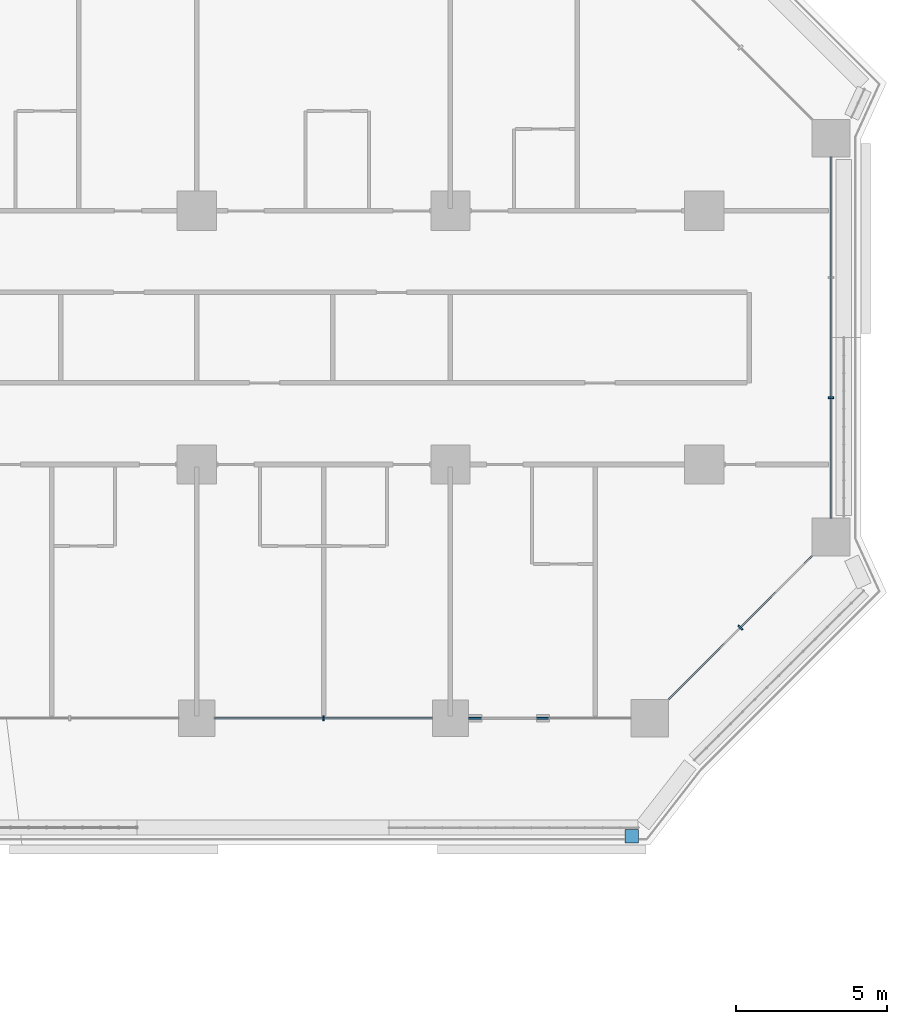
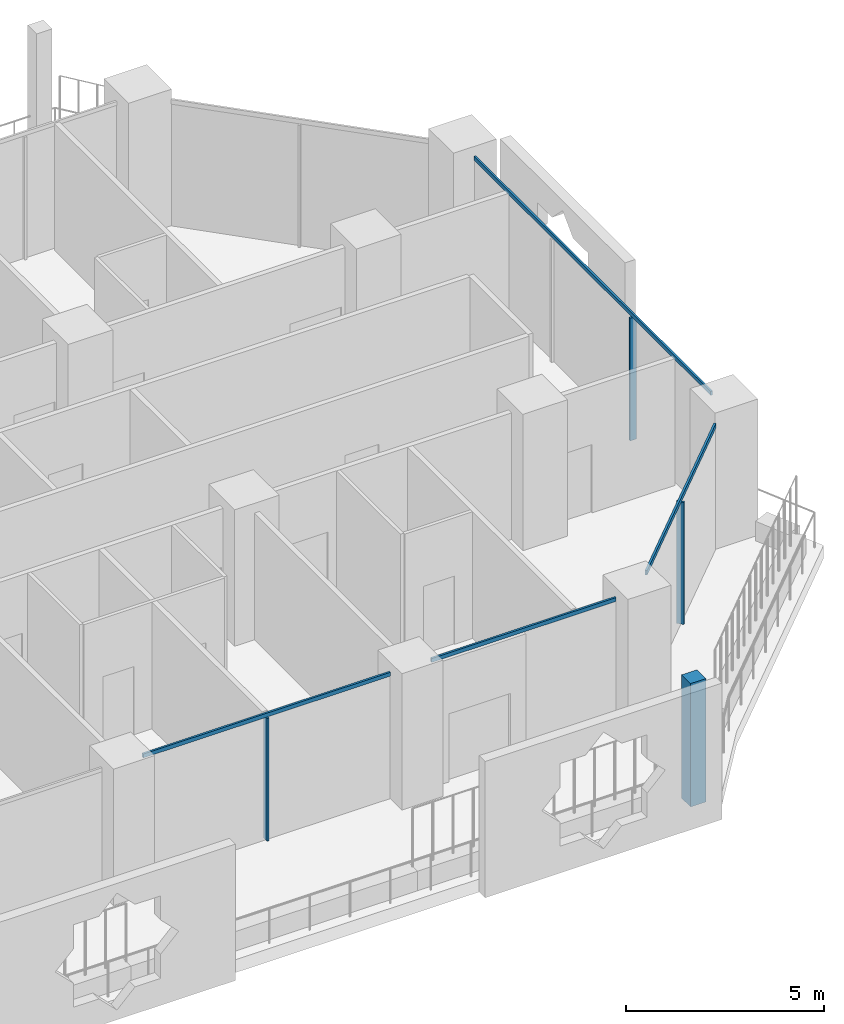
# One storey, part 7 of 29: 8 members, 4 elements without a shape of their own.
"""IFC4 building model written with IfcOpenShell, lengths in metres."""

from ifc_helpers import new_model, si_unit, direction, frame, origin, origin_2d, place, context, subcontext, project, spatial, rectangle, extrude, material, layer, layer_set, material_profile, profile_set, type_object, element, aggregate, save


model = new_model("IFC4")

# Units and contexts
model_context = context("Model", 3, precision=1e-05, world=origin(), true_north=direction((0.0, 1.0)))
body_context = subcontext(model_context, "Body", "Model", "MODEL_VIEW")
ifc_project = project(units=[si_unit("LENGTHUNIT", "METRE"), si_unit("AREAUNIT", "SQUARE_METRE"), si_unit("VOLUMEUNIT", "CUBIC_METRE"), si_unit("PLANEANGLEUNIT", "RADIAN"), si_unit("MASSUNIT", "GRAM", prefix="KILO")], contexts=[model_context])

# Site, building, storey
site_placement = place(None, origin())
site = spatial("IfcSite", under=ifc_project, at=site_placement, CompositionType="ELEMENT")
building_placement = place(site_placement, origin())
building = spatial("IfcBuilding", under=site, at=building_placement, Name="Kawkab Arch Medical Tower", CompositionType="ELEMENT")
storey_placement = place(building_placement, frame((0.0, 0.0, 64.39990234375)))
storey = spatial("IfcBuildingStorey", under=building, at=storey_placement, Name="L14", CompositionType="ELEMENT", Elevation=64.39990234375)

# Curtain wall, member
ifc_material_1 = material(Name="Bronze anodised aluminium curtain wall frame", Category="aluminium")
ifc_layer_1 = layer(ifc_material_1, 0.159912109375)
ifc_layer_set_1 = layer_set([ifc_layer_1], Name="Bronze anodised aluminium curtain wall frame")
curtain_wall_type_1 = type_object("IfcCurtainWallType", Name="CW1 ward curtain wall", PredefinedType="NOTDEFINED", material=ifc_layer_set_1)
placement = place(storey_placement, origin())
curtain_wall_1 = element("IfcCurtainWall", 1, at=placement, inside=storey, type_object=curtain_wall_type_1, Name="CW1 Ward curtain wall R07", PredefinedType="NOTDEFINED")
ifc_material_2 = material(Name="Bronze anodised aluminium curtain wall frame", Category="aluminium")
ifc_material_profile_1 = material_profile(ifc_material_2, rectangle(XDim=0.179931640625, YDim=0.06005859375, at=origin_2d()), Name="AL 60x180")
ifc_profile_set_1 = profile_set([ifc_material_profile_1], Name="Bronze anodised aluminium curtain wall frame")
member_type_1 = type_object("IfcMemberType", Name="CW1 mullion 60 x 180", PredefinedType="MULLION", material=ifc_profile_set_1)
member_1_placement = place(storey_placement, frame((63.0, -25.199951171875, 0.0), z_axis=(0.0, 0.0, 1.0), x_axis=(0.0, 1.0, 0.0)))
member_1 = element("IfcMember", 2, at=member_1_placement, type_object=member_type_1, Name="CW1 mullion 4.1", PredefinedType="MULLION", context=body_context, shape_type="SweptSolid", body=[
    extrude(rectangle(XDim=0.179931640625, YDim=0.06005859375, at=origin_2d()), origin(), (0.0, 0.0, 1.0), 3.780029296875),
])

curtain_wall_2 = element("IfcCurtainWall", 3, at=placement, inside=storey, type_object=curtain_wall_type_1, Name="CW1 Ward curtain wall R09", PredefinedType="NOTDEFINED")
member_2_placement = place(storey_placement, frame((79.800048828125, -14.591552734375, 0.0), z_axis=(0.0, 0.0, 1.0), x_axis=(-1.0, 0.0, 0.0)))
member_2 = element("IfcMember", 4, at=member_2_placement, type_object=member_type_1, Name="CW1 mullion 1.1", PredefinedType="MULLION", context=body_context, shape_type="SweptSolid", body=[
    extrude(rectangle(XDim=0.179931640625, YDim=0.06005859375, at=origin_2d()), origin(), (0.0, 0.0, 1.0), 3.780029296875),
])

# Member
ifc_material_3 = material(Name="Bronze anodised aluminium curtain wall frame", Category="aluminium")
ifc_material_profile_2 = material_profile(ifc_material_3, rectangle(XDim=0.06005859375, YDim=0.1201171875, at=origin_2d()), Name="AL 60x120")
ifc_profile_set_2 = profile_set([ifc_material_profile_2], Name="Bronze anodised aluminium curtain wall frame")
member_type_2 = type_object("IfcMemberType", Name="CW1 transom 120 x 60", PredefinedType="USERDEFINED", material=ifc_profile_set_2)
member_3_placement = place(storey_placement, frame((59.39990234375, -25.199951171875, 3.840087890625), z_axis=(1.0, 0.0, 0.0), x_axis=(0.0, 1.0, 0.0)))
member_3 = element("IfcMember", 5, at=member_3_placement, type_object=member_type_2, Name="CW1 transom 4", ObjectType="TRANSOM", PredefinedType="USERDEFINED", context=body_context, shape_type="SweptSolid", body=[
    extrude(rectangle(XDim=0.06005859375, YDim=0.1201171875, at=origin_2d()), origin(), (0.0, 0.0, 1.0), 7.2001953125),
])

member_4_placement = place(storey_placement, frame((67.800048828125, -25.199951171875, 3.840087890625), z_axis=(1.0, 0.0, 0.0), x_axis=(0.0, 1.0, 0.0)))
member_4 = element("IfcMember", 6, at=member_4_placement, type_object=member_type_2, Name="CW1 transom 5", ObjectType="TRANSOM", PredefinedType="USERDEFINED", context=body_context, shape_type="SweptSolid", body=[
    extrude(rectangle(XDim=0.06005859375, YDim=0.1201171875, at=origin_2d()), origin(), (0.0, 0.0, 1.0), 5.375),
])

aggregate(curtain_wall_1, [member_3, member_1, member_4])

member_5_placement = place(storey_placement, frame((79.800048828125, -18.574951171875, 3.840087890625), z_axis=(0.0, 1.0, 0.0), x_axis=(-1.0, 0.0, 0.0)))
member_5 = element("IfcMember", 7, at=member_5_placement, type_object=member_type_2, Name="CW1 transom 1", ObjectType="TRANSOM", PredefinedType="USERDEFINED", context=body_context, shape_type="SweptSolid", body=[
    extrude(rectangle(XDim=0.06005859375, YDim=0.1201171875, at=origin_2d()), origin(), (0.0, 0.0, 1.0), 11.949951171875),
])

aggregate(curtain_wall_2, [member_5, member_2])

# Curtain wall, members
ifc_material_4 = material(Name="Bronze anodised aluminium curtain wall frame", Category="aluminium")
ifc_layer_2 = layer(ifc_material_4, 0.159912109375)
ifc_layer_set_2 = layer_set([ifc_layer_2], Name="Bronze anodised aluminium curtain wall frame")
curtain_wall_type_2 = type_object("IfcCurtainWallType", Name="CW2 chamfer curtain wall", PredefinedType="NOTDEFINED", material=ifc_layer_set_2)
curtain_wall_3 = element("IfcCurtainWall", 8, at=placement, inside=storey, type_object=curtain_wall_type_2, Name="CW2 Chamfer curtain wall R08", PredefinedType="NOTDEFINED")
ifc_material_5 = material(Name="Bronze anodised aluminium curtain wall frame", Category="aluminium")
ifc_material_profile_3 = material_profile(ifc_material_5, rectangle(XDim=0.199951171875, YDim=0.06005859375, at=origin_2d()), Name="AL 60x200")
ifc_profile_set_3 = profile_set([ifc_material_profile_3], Name="Bronze anodised aluminium curtain wall frame")
member_type_3 = type_object("IfcMemberType", Name="CW2 mullion 60 x 200", PredefinedType="MULLION", material=ifc_profile_set_3)
member_6_placement = place(storey_placement, frame((76.800048828125, -22.199951171875, 0.0), z_axis=(0.0, 0.0, 1.0), x_axis=(-0.707106781187, 0.707106781187, 0.0)))
member_6 = element("IfcMember", 9, at=member_6_placement, type_object=member_type_3, Name="CW2 mullion 1.1", PredefinedType="MULLION", context=body_context, shape_type="SweptSolid", body=[
    extrude(rectangle(XDim=0.199951171875, YDim=0.06005859375, at=origin_2d()), origin(), (0.0, 0.0, 1.0), 3.760009765625),
])
ifc_material_6 = material(Name="Bronze anodised aluminium curtain wall frame", Category="aluminium")
ifc_material_profile_4 = material_profile(ifc_material_6, rectangle(XDim=0.06005859375, YDim=0.139892578125, at=origin_2d()), Name="AL 60x140")
ifc_profile_set_4 = profile_set([ifc_material_profile_4], Name="Bronze anodised aluminium curtain wall frame")
member_type_4 = type_object("IfcMemberType", Name="CW2 transom 140 x 60", PredefinedType="USERDEFINED", material=ifc_profile_set_4)
member_7_placement = place(storey_placement, frame((74.425048828125, -24.574951171875, 3.830078125), z_axis=(0.707106781187, 0.707106781187, 0.0), x_axis=(-0.707106781187, 0.707106781187, 0.0)))
member_7 = element("IfcMember", 10, at=member_7_placement, type_object=member_type_4, Name="CW2 transom 1", ObjectType="TRANSOM", PredefinedType="USERDEFINED", context=body_context, shape_type="SweptSolid", body=[
    extrude(rectangle(XDim=0.06005859375, YDim=0.139892578125, at=origin_2d()), origin(), (0.0, 0.0, 1.0), 6.717529296875),
])
aggregate(curtain_wall_3, [member_7, member_6])

# Curtain wall, member
ifc_material_7 = material(Name="Bronze anodised aluminium climber frame, planted", Category="aluminium")
ifc_layer_3 = layer(ifc_material_7, 0.449951171875)
ifc_layer_set_3 = layer_set([ifc_layer_3], Name="Bronze anodised aluminium climber frame, planted")
curtain_wall_type_3 = type_object("IfcCurtainWallType", Name="Planted climber frame", PredefinedType="NOTDEFINED", material=ifc_layer_set_3)
curtain_wall_4 = element("IfcCurtainWall", 11, at=placement, inside=storey, type_object=curtain_wall_type_3, Name="Planted climber frame L14", PredefinedType="NOTDEFINED")
ifc_material_8 = material(Name="Bronze anodised aluminium climber frame, planted", Category="aluminium")
ifc_material_profile_5 = material_profile(ifc_material_8, rectangle(XDim=0.449951171875, YDim=0.449951171875, at=origin_2d()), Name="Post 450x450")
ifc_profile_set_5 = profile_set([ifc_material_profile_5], Name="Bronze anodised aluminium climber frame, planted")
member_type_5 = type_object("IfcMemberType", Name="Planted climber post 450 x 450", PredefinedType="MULLION", material=ifc_profile_set_5)
member_8_placement = place(storey_placement, frame((73.202880859375, -29.10009765625, 0.0), z_axis=(0.0, 0.0, 1.0), x_axis=(1.0, 0.0, 0.0)))
member_8 = element("IfcMember", 12, at=member_8_placement, type_object=member_type_5, Name="Planted climber post L14.LOG-01-01.5", PredefinedType="MULLION", context=body_context, shape_type="SweptSolid", body=[
    extrude(rectangle(XDim=0.449951171875, YDim=0.449951171875, at=origin_2d()), origin(), (0.0, 0.0, 1.0), 3.800048828125),
])
aggregate(curtain_wall_4, [member_8])

save(model, "model.ifc")
